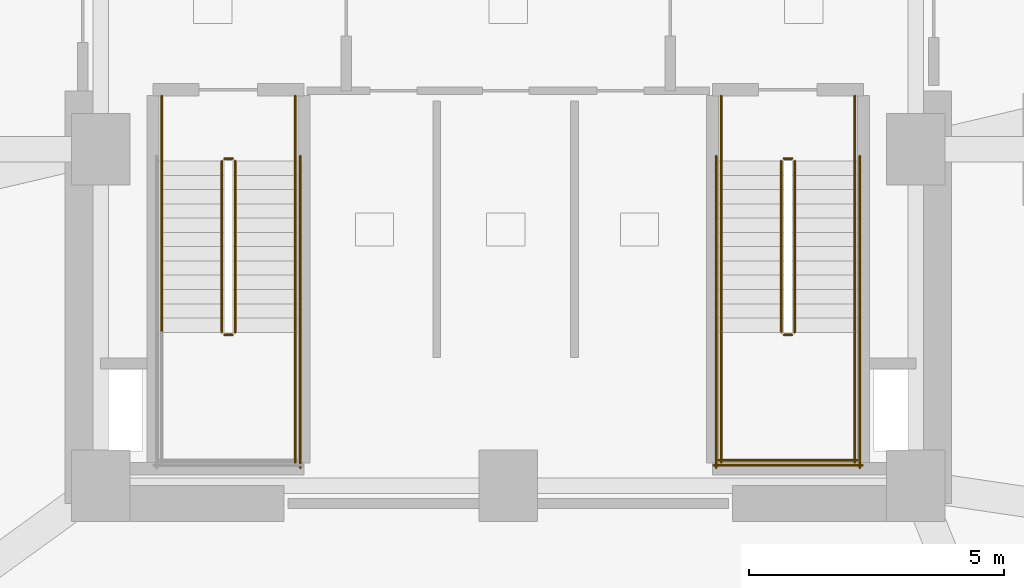
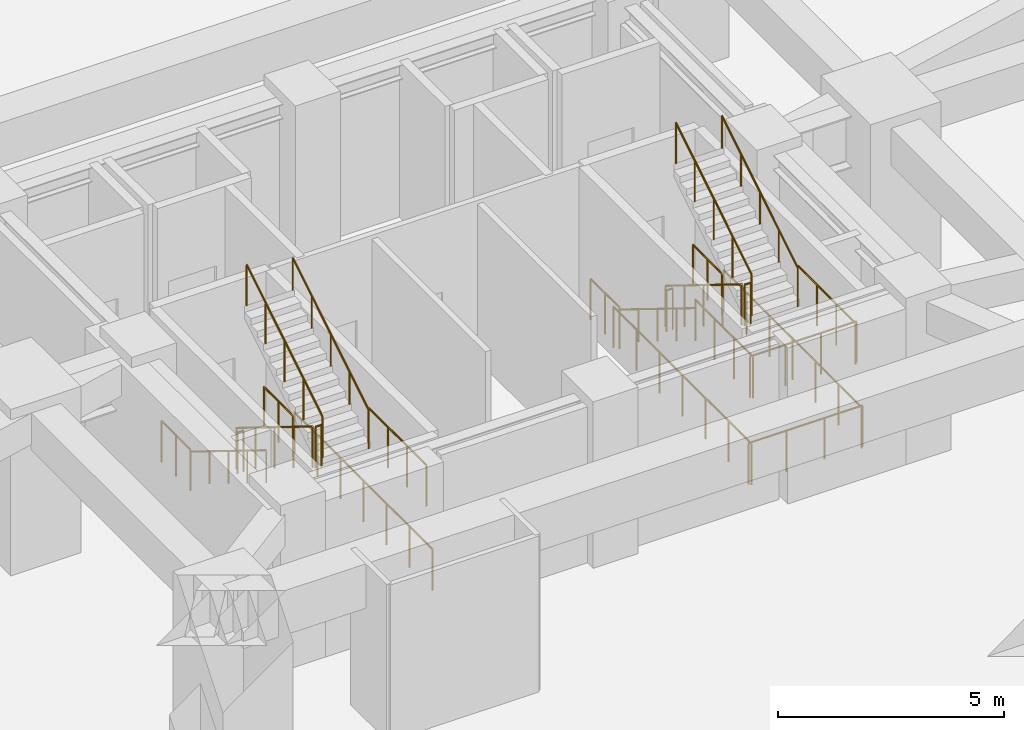
# One storey, part 6 of 9: 24 railings.
"""IFC4 building model written with IfcOpenShell, lengths in metres."""

from ifc_helpers import new_model, si_unit, direction, frame, origin, origin_2d, place, context, subcontext, project, spatial, circle, extrude, material, layer, layer_set, type_object, element, save


model = new_model("IFC4")

# Units and contexts
model_context = context("Model", 3, precision=1e-05, world=origin(), true_north=direction((0.0, 1.0)))
body_context = subcontext(model_context, "Body", "Model", "MODEL_VIEW")
ifc_project = project(units=[si_unit("LENGTHUNIT", "METRE"), si_unit("AREAUNIT", "SQUARE_METRE"), si_unit("VOLUMEUNIT", "CUBIC_METRE"), si_unit("PLANEANGLEUNIT", "RADIAN"), si_unit("MASSUNIT", "GRAM", prefix="KILO")], contexts=[model_context])

# Site, building, storey
site_placement = place(None, origin())
site = spatial("IfcSite", under=ifc_project, at=site_placement, CompositionType="ELEMENT")
building_placement = place(site_placement, origin())
building = spatial("IfcBuilding", under=site, at=building_placement, Name="Ndelora Gate Hotel", CompositionType="ELEMENT")
storey_placement = place(building_placement, frame((0.0, 0.0, -4.5)))
storey = spatial("IfcBuildingStorey", under=building, at=storey_placement, Name="B01", CompositionType="ELEMENT", Elevation=-4.5)

# Railings
ifc_material_1 = material(Name="Painted Galvanized Steel Balustrade", Category="steel")
ifc_layer_1 = layer(ifc_material_1, 0.06005859375)
ifc_layer_set_1 = layer_set([ifc_layer_1], Name="Painted Galvanized Steel Balustrade")
railing_type_1 = type_object("IfcRailingType", Name="RL-STAIR-GD", PredefinedType="GUARDRAIL", material=ifc_layer_set_1)
railing_1_placement = place(storey_placement, frame((-5.6201171875, -0.22998046875, 0.173095703125)))
element("IfcRailing", 1, at=railing_1_placement, inside=storey, type_object=railing_type_1, Name="B01 ST4 stair guard 1", PredefinedType="GUARDRAIL", context=body_context, shape_type="SweptSolid", body=[
    extrude(circle(Radius=0.02392578125, at=origin_2d()), frame((0.0, 0.0, 1.10595703125), z_axis=(0.0, -0.850623216509, 0.525775754039), x_axis=(1.0, 0.0, 0.0)), (0.0, 0.0, 1.0), 3.9501953125),
    extrude(circle(Radius=0.02099609375, at=origin_2d()), origin(), (0.0, 0.0, 1.0), 1.081787109375),
    extrude(circle(Radius=0.02099609375, at=origin_2d()), frame((0.0, -0.840087890625, 0.519287109375)), (0.0, 0.0, 1.0), 1.081787109375),
    extrude(circle(Radius=0.02099609375, at=origin_2d()), frame((0.0, -1.68017578125, 1.03857421875)), (0.0, 0.0, 1.0), 1.081787109375),
    extrude(circle(Radius=0.02099609375, at=origin_2d()), frame((0.0, -2.52001953125, 1.5576171875)), (0.0, 0.0, 1.0), 1.081787109375),
    extrude(circle(Radius=0.02099609375, at=origin_2d()), frame((0.0, -3.360107421875, 2.076904296875)), (0.0, 0.0, 1.0), 1.081787109375),
])
railing_2_placement = place(storey_placement, frame((-5.570068359375, -3.639892578125, 2.25)))
element("IfcRailing", 2, at=railing_2_placement, inside=storey, type_object=railing_type_1, Name="B01 ST4 stair guard 2", PredefinedType="GUARDRAIL", context=body_context, shape_type="SweptSolid", body=[
    extrude(circle(Radius=0.02392578125, at=origin_2d()), frame((0.0, 0.0, 1.10595703125), z_axis=(1.0, 0.0, 0.0), x_axis=(0.0, 1.0, 0.0)), (0.0, 0.0, 1.0), 0.16015625),
    extrude(circle(Radius=0.02099609375, at=origin_2d()), origin(), (0.0, 0.0, 1.0), 1.081787109375),
    extrude(circle(Radius=0.02099609375, at=origin_2d()), frame((0.16015625, 0.0, 0.0)), (0.0, 0.0, 1.0), 1.081787109375),
])
railing_3_placement = place(storey_placement, frame((-4.179931640625, -3.590087890625, 2.25)))
element("IfcRailing", 3, at=railing_3_placement, inside=storey, type_object=railing_type_1, Name="B01 ST4 stair guard 4", PredefinedType="GUARDRAIL", context=body_context, shape_type="SweptSolid", body=[
    extrude(circle(Radius=0.02392578125, at=origin_2d()), frame((0.0, 0.0, 1.10595703125), z_axis=(0.0, -1.0, 0.0), x_axis=(1.0, 0.0, 0.0)), (0.0, 0.0, 1.0), 2.559814453125),
    extrude(circle(Radius=0.02099609375, at=origin_2d()), origin(), (0.0, 0.0, 1.0), 1.081787109375),
    extrude(circle(Radius=0.02099609375, at=origin_2d()), frame((0.0, -0.853271484375, 0.0)), (0.0, 0.0, 1.0), 1.081787109375),
    extrude(circle(Radius=0.02099609375, at=origin_2d()), frame((0.0, -1.70654296875, 0.0)), (0.0, 0.0, 1.0), 1.081787109375),
    extrude(circle(Radius=0.02099609375, at=origin_2d()), frame((0.0, -2.559814453125, 0.0)), (0.0, 0.0, 1.0), 1.081787109375),
])
railing_4_placement = place(storey_placement, frame((-5.360107421875, -3.590087890625, 2.423095703125)))
element("IfcRailing", 4, at=railing_4_placement, inside=storey, type_object=railing_type_1, Name="B01 ST4 stair guard 6", PredefinedType="GUARDRAIL", context=body_context, shape_type="SweptSolid", body=[
    extrude(circle(Radius=0.02392578125, at=origin_2d()), frame((0.0, 0.0, 1.10595703125), z_axis=(0.0, 0.850623216509, 0.525775754039), x_axis=(-1.0, 0.0, 0.0)), (0.0, 0.0, 1.0), 3.9501953125),
    extrude(circle(Radius=0.02099609375, at=origin_2d()), origin(), (0.0, 0.0, 1.0), 1.081787109375),
    extrude(circle(Radius=0.02099609375, at=origin_2d()), frame((0.0, 0.840087890625, 0.519287109375)), (0.0, 0.0, 1.0), 1.081787109375),
    extrude(circle(Radius=0.02099609375, at=origin_2d()), frame((0.0, 1.68017578125, 1.03857421875)), (0.0, 0.0, 1.0), 1.081787109375),
    extrude(circle(Radius=0.02099609375, at=origin_2d()), frame((0.0, 2.52001953125, 1.5576171875)), (0.0, 0.0, 1.0), 1.081787109375),
    extrude(circle(Radius=0.02099609375, at=origin_2d()), frame((0.0, 3.360107421875, 2.076904296875)), (0.0, 0.0, 1.0), 1.081787109375),
])
railing_5_placement = place(storey_placement, frame((-5.570068359375, -0.179931640625, 0.0)))
element("IfcRailing", 5, at=railing_5_placement, inside=storey, type_object=railing_type_1, Name="B01 ST4 stair guard 7", PredefinedType="GUARDRAIL", context=body_context, shape_type="SweptSolid", body=[
    extrude(circle(Radius=0.02392578125, at=origin_2d()), frame((0.0, 0.0, 1.10595703125), z_axis=(1.0, 0.0, 0.0), x_axis=(0.0, 1.0, 0.0)), (0.0, 0.0, 1.0), 0.16015625),
    extrude(circle(Radius=0.02099609375, at=origin_2d()), origin(), (0.0, 0.0, 1.0), 1.081787109375),
    extrude(circle(Radius=0.02099609375, at=origin_2d()), frame((0.16015625, 0.0, 0.0)), (0.0, 0.0, 1.0), 1.081787109375),
])
for number, where, name in (
    (6, (-6.800048828125, 1.050048828125, 0.0), "B01 ST4 stair guard 8"),
    (7, (-4.179931640625, 1.050048828125, 0.0), "B01 ST4 stair guard 9"),
):
    element("IfcRailing", number, at=place(storey_placement, frame(where)), inside=storey, type_object=railing_type_1, Name=name, PredefinedType="GUARDRAIL", context=body_context, shape_type="SweptSolid", body=[
        extrude(circle(Radius=0.02392578125, at=origin_2d()), frame((0.0, 0.0, 1.10595703125), z_axis=(0.0, -1.0, 0.0), x_axis=(1.0, 0.0, 0.0)), (0.0, 0.0, 1.0), 1.280029296875),
        extrude(circle(Radius=0.02099609375, at=origin_2d()), origin(), (0.0, 0.0, 1.0), 1.081787109375),
        extrude(circle(Radius=0.02099609375, at=origin_2d()), frame((0.0, -0.64013671875, 0.0)), (0.0, 0.0, 1.0), 1.081787109375),
        extrude(circle(Radius=0.02099609375, at=origin_2d()), frame((0.0, -1.280029296875, 0.0)), (0.0, 0.0, 1.0), 1.081787109375),
    ])
railing_6_placement = place(storey_placement, frame((-4.080078125, -0.1298828125, 0.0)))
element("IfcRailing", 8, at=railing_6_placement, inside=storey, type_object=railing_type_1, Name="B01 ST4 stair guard 11", PredefinedType="GUARDRAIL", context=body_context, shape_type="SweptSolid", body=[
    extrude(circle(Radius=0.02392578125, at=origin_2d()), frame((0.0, 0.0, 1.10595703125), z_axis=(0.0, -1.0, 0.0), x_axis=(1.0, 0.0, 0.0)), (0.0, 0.0, 1.0), 6.1201171875),
    extrude(circle(Radius=0.02099609375, at=origin_2d()), origin(), (0.0, 0.0, 1.0), 1.081787109375),
    extrude(circle(Radius=0.02099609375, at=origin_2d()), frame((0.0, -1.02001953125, 0.0)), (0.0, 0.0, 1.0), 1.081787109375),
    extrude(circle(Radius=0.02099609375, at=origin_2d()), frame((0.0, -2.0400390625, 0.0)), (0.0, 0.0, 1.0), 1.081787109375),
    extrude(circle(Radius=0.02099609375, at=origin_2d()), frame((0.0, -3.06005859375, 0.0)), (0.0, 0.0, 1.0), 1.081787109375),
    extrude(circle(Radius=0.02099609375, at=origin_2d()), frame((0.0, -4.080078125, 0.0)), (0.0, 0.0, 1.0), 1.081787109375),
    extrude(circle(Radius=0.02099609375, at=origin_2d()), frame((0.0, -5.10009765625, 0.0)), (0.0, 0.0, 1.0), 1.081787109375),
    extrude(circle(Radius=0.02099609375, at=origin_2d()), frame((0.0, -6.1201171875, 0.0)), (0.0, 0.0, 1.0), 1.081787109375),
])
railing_7_placement = place(storey_placement, frame((5.360107421875, -0.22998046875, 0.173095703125)))
element("IfcRailing", 9, at=railing_7_placement, inside=storey, type_object=railing_type_1, Name="B01 ST5 stair guard 1", PredefinedType="GUARDRAIL", context=body_context, shape_type="SweptSolid", body=[
    extrude(circle(Radius=0.02392578125, at=origin_2d()), frame((0.0, 0.0, 1.10595703125), z_axis=(0.0, -0.850623216509, 0.525775754039), x_axis=(1.0, 0.0, 0.0)), (0.0, 0.0, 1.0), 3.9501953125),
    extrude(circle(Radius=0.02099609375, at=origin_2d()), origin(), (0.0, 0.0, 1.0), 1.081787109375),
    extrude(circle(Radius=0.02099609375, at=origin_2d()), frame((0.0, -0.840087890625, 0.519287109375)), (0.0, 0.0, 1.0), 1.081787109375),
    extrude(circle(Radius=0.02099609375, at=origin_2d()), frame((0.0, -1.68017578125, 1.03857421875)), (0.0, 0.0, 1.0), 1.081787109375),
    extrude(circle(Radius=0.02099609375, at=origin_2d()), frame((0.0, -2.52001953125, 1.5576171875)), (0.0, 0.0, 1.0), 1.081787109375),
    extrude(circle(Radius=0.02099609375, at=origin_2d()), frame((0.0, -3.360107421875, 2.076904296875)), (0.0, 0.0, 1.0), 1.081787109375),
])
railing_8_placement = place(storey_placement, frame((5.409912109375, -3.639892578125, 2.25)))
element("IfcRailing", 10, at=railing_8_placement, inside=storey, type_object=railing_type_1, Name="B01 ST5 stair guard 2", PredefinedType="GUARDRAIL", context=body_context, shape_type="SweptSolid", body=[
    extrude(circle(Radius=0.02392578125, at=origin_2d()), frame((0.0, 0.0, 1.10595703125), z_axis=(1.0, 0.0, 0.0), x_axis=(0.0, 1.0, 0.0)), (0.0, 0.0, 1.0), 0.16015625),
    extrude(circle(Radius=0.02099609375, at=origin_2d()), origin(), (0.0, 0.0, 1.0), 1.081787109375),
    extrude(circle(Radius=0.02099609375, at=origin_2d()), frame((0.16015625, 0.0, 0.0)), (0.0, 0.0, 1.0), 1.081787109375),
])
for number, where, name in (
    (11, (4.179931640625, -3.590087890625, 2.25), "B01 ST5 stair guard 3"),
    (12, (6.800048828125, -3.590087890625, 2.25), "B01 ST5 stair guard 4"),
):
    element("IfcRailing", number, at=place(storey_placement, frame(where)), inside=storey, type_object=railing_type_1, Name=name, PredefinedType="GUARDRAIL", context=body_context, shape_type="SweptSolid", body=[
        extrude(circle(Radius=0.02392578125, at=origin_2d()), frame((0.0, 0.0, 1.10595703125), z_axis=(0.0, -1.0, 0.0), x_axis=(1.0, 0.0, 0.0)), (0.0, 0.0, 1.0), 2.559814453125),
        extrude(circle(Radius=0.02099609375, at=origin_2d()), origin(), (0.0, 0.0, 1.0), 1.081787109375),
        extrude(circle(Radius=0.02099609375, at=origin_2d()), frame((0.0, -0.853271484375, 0.0)), (0.0, 0.0, 1.0), 1.081787109375),
        extrude(circle(Radius=0.02099609375, at=origin_2d()), frame((0.0, -1.70654296875, 0.0)), (0.0, 0.0, 1.0), 1.081787109375),
        extrude(circle(Radius=0.02099609375, at=origin_2d()), frame((0.0, -2.559814453125, 0.0)), (0.0, 0.0, 1.0), 1.081787109375),
    ])
railing_9_placement = place(storey_placement, frame((4.1298828125, -6.10009765625, 2.25)))
element("IfcRailing", 13, at=railing_9_placement, inside=storey, type_object=railing_type_1, Name="B01 ST5 stair guard 5", PredefinedType="GUARDRAIL", context=body_context, shape_type="SweptSolid", body=[
    extrude(circle(Radius=0.02392578125, at=origin_2d()), frame((0.0, 0.0, 1.10595703125), z_axis=(1.0, 0.0, 0.0), x_axis=(0.0, 1.0, 0.0)), (0.0, 0.0, 1.0), 2.72021484375),
    extrude(circle(Radius=0.02099609375, at=origin_2d()), origin(), (0.0, 0.0, 1.0), 1.081787109375),
    extrude(circle(Radius=0.02099609375, at=origin_2d()), frame((0.90673828125, 0.0, 0.0)), (0.0, 0.0, 1.0), 1.081787109375),
    extrude(circle(Radius=0.02099609375, at=origin_2d()), frame((1.8134765625, 0.0, 0.0)), (0.0, 0.0, 1.0), 1.081787109375),
    extrude(circle(Radius=0.02099609375, at=origin_2d()), frame((2.72021484375, 0.0, 0.0)), (0.0, 0.0, 1.0), 1.081787109375),
])
railing_10_placement = place(storey_placement, frame((5.6201171875, -3.590087890625, 2.423095703125)))
element("IfcRailing", 14, at=railing_10_placement, inside=storey, type_object=railing_type_1, Name="B01 ST5 stair guard 6", PredefinedType="GUARDRAIL", context=body_context, shape_type="SweptSolid", body=[
    extrude(circle(Radius=0.02392578125, at=origin_2d()), frame((0.0, 0.0, 1.10595703125), z_axis=(0.0, 0.850623216509, 0.525775754039), x_axis=(-1.0, 0.0, 0.0)), (0.0, 0.0, 1.0), 3.9501953125),
    extrude(circle(Radius=0.02099609375, at=origin_2d()), origin(), (0.0, 0.0, 1.0), 1.081787109375),
    extrude(circle(Radius=0.02099609375, at=origin_2d()), frame((0.0, 0.840087890625, 0.519287109375)), (0.0, 0.0, 1.0), 1.081787109375),
    extrude(circle(Radius=0.02099609375, at=origin_2d()), frame((0.0, 1.68017578125, 1.03857421875)), (0.0, 0.0, 1.0), 1.081787109375),
    extrude(circle(Radius=0.02099609375, at=origin_2d()), frame((0.0, 2.52001953125, 1.5576171875)), (0.0, 0.0, 1.0), 1.081787109375),
    extrude(circle(Radius=0.02099609375, at=origin_2d()), frame((0.0, 3.360107421875, 2.076904296875)), (0.0, 0.0, 1.0), 1.081787109375),
])
railing_11_placement = place(storey_placement, frame((5.409912109375, -0.179931640625, 0.0)))
element("IfcRailing", 15, at=railing_11_placement, inside=storey, type_object=railing_type_1, Name="B01 ST5 stair guard 7", PredefinedType="GUARDRAIL", context=body_context, shape_type="SweptSolid", body=[
    extrude(circle(Radius=0.02392578125, at=origin_2d()), frame((0.0, 0.0, 1.10595703125), z_axis=(1.0, 0.0, 0.0), x_axis=(0.0, 1.0, 0.0)), (0.0, 0.0, 1.0), 0.16015625),
    extrude(circle(Radius=0.02099609375, at=origin_2d()), origin(), (0.0, 0.0, 1.0), 1.081787109375),
    extrude(circle(Radius=0.02099609375, at=origin_2d()), frame((0.16015625, 0.0, 0.0)), (0.0, 0.0, 1.0), 1.081787109375),
])
for number, where, name in (
    (16, (4.179931640625, 1.050048828125, 0.0), "B01 ST5 stair guard 8"),
    (17, (6.800048828125, 1.050048828125, 0.0), "B01 ST5 stair guard 9"),
):
    element("IfcRailing", number, at=place(storey_placement, frame(where)), inside=storey, type_object=railing_type_1, Name=name, PredefinedType="GUARDRAIL", context=body_context, shape_type="SweptSolid", body=[
        extrude(circle(Radius=0.02392578125, at=origin_2d()), frame((0.0, 0.0, 1.10595703125), z_axis=(0.0, -1.0, 0.0), x_axis=(1.0, 0.0, 0.0)), (0.0, 0.0, 1.0), 1.280029296875),
        extrude(circle(Radius=0.02099609375, at=origin_2d()), origin(), (0.0, 0.0, 1.0), 1.081787109375),
        extrude(circle(Radius=0.02099609375, at=origin_2d()), frame((0.0, -0.64013671875, 0.0)), (0.0, 0.0, 1.0), 1.081787109375),
        extrude(circle(Radius=0.02099609375, at=origin_2d()), frame((0.0, -1.280029296875, 0.0)), (0.0, 0.0, 1.0), 1.081787109375),
    ])
for number, where, name in (
    (18, (4.080078125, -0.1298828125, 0.0), "B01 ST5 stair guard 10"),
    (19, (6.89990234375, -0.1298828125, 0.0), "B01 ST5 stair guard 11"),
):
    element("IfcRailing", number, at=place(storey_placement, frame(where)), inside=storey, type_object=railing_type_1, Name=name, PredefinedType="GUARDRAIL", context=body_context, shape_type="SweptSolid", body=[
        extrude(circle(Radius=0.02392578125, at=origin_2d()), frame((0.0, 0.0, 1.10595703125), z_axis=(0.0, -1.0, 0.0), x_axis=(1.0, 0.0, 0.0)), (0.0, 0.0, 1.0), 6.1201171875),
        extrude(circle(Radius=0.02099609375, at=origin_2d()), origin(), (0.0, 0.0, 1.0), 1.081787109375),
        extrude(circle(Radius=0.02099609375, at=origin_2d()), frame((0.0, -1.02001953125, 0.0)), (0.0, 0.0, 1.0), 1.081787109375),
        extrude(circle(Radius=0.02099609375, at=origin_2d()), frame((0.0, -2.0400390625, 0.0)), (0.0, 0.0, 1.0), 1.081787109375),
        extrude(circle(Radius=0.02099609375, at=origin_2d()), frame((0.0, -3.06005859375, 0.0)), (0.0, 0.0, 1.0), 1.081787109375),
        extrude(circle(Radius=0.02099609375, at=origin_2d()), frame((0.0, -4.080078125, 0.0)), (0.0, 0.0, 1.0), 1.081787109375),
        extrude(circle(Radius=0.02099609375, at=origin_2d()), frame((0.0, -5.10009765625, 0.0)), (0.0, 0.0, 1.0), 1.081787109375),
        extrude(circle(Radius=0.02099609375, at=origin_2d()), frame((0.0, -6.1201171875, 0.0)), (0.0, 0.0, 1.0), 1.081787109375),
    ])
railing_12_placement = place(storey_placement, frame((4.030029296875, -6.199951171875, 0.0)))
element("IfcRailing", 20, at=railing_12_placement, inside=storey, type_object=railing_type_1, Name="B01 ST5 stair guard 12", PredefinedType="GUARDRAIL", context=body_context, shape_type="SweptSolid", body=[
    extrude(circle(Radius=0.02392578125, at=origin_2d()), frame((0.0, 0.0, 1.10595703125), z_axis=(1.0, 0.0, 0.0), x_axis=(0.0, 1.0, 0.0)), (0.0, 0.0, 1.0), 2.919921875),
    extrude(circle(Radius=0.02099609375, at=origin_2d()), origin(), (0.0, 0.0, 1.0), 1.081787109375),
    extrude(circle(Radius=0.02099609375, at=origin_2d()), frame((0.973388671875, 0.0, 0.0)), (0.0, 0.0, 1.0), 1.081787109375),
    extrude(circle(Radius=0.02099609375, at=origin_2d()), frame((1.946533203125, 0.0, 0.0)), (0.0, 0.0, 1.0), 1.081787109375),
    extrude(circle(Radius=0.02099609375, at=origin_2d()), frame((2.919921875, 0.0, 0.0)), (0.0, 0.0, 1.0), 1.081787109375),
])
ifc_material_2 = material(Name="Brushed Stainless Steel 316", Category="steel")
ifc_layer_2 = layer(ifc_material_2, 0.050048828125)
ifc_layer_set_2 = layer_set([ifc_layer_2], Name="Brushed Stainless Steel 316")
railing_type_2 = type_object("IfcRailingType", Name="RL-STAIR-HR", PredefinedType="HANDRAIL", material=ifc_layer_set_2)
railing_13_placement = place(storey_placement, frame((-6.800048828125, -0.22998046875, 0.173095703125)))
element("IfcRailing", 21, at=railing_13_placement, inside=storey, type_object=railing_type_2, Name="B01 ST4 stair handrail 1", PredefinedType="HANDRAIL", context=body_context, shape_type="SweptSolid", body=[
    extrude(circle(Radius=0.02392578125, at=origin_2d()), frame((0.0, 0.0, 0.8759765625), z_axis=(0.0, -0.850623216509, 0.525775754039), x_axis=(1.0, 0.0, 0.0)), (0.0, 0.0, 1.0), 3.9501953125),
    extrude(circle(Radius=0.02099609375, at=origin_2d()), origin(), (0.0, 0.0, 1.0), 0.851806640625),
    extrude(circle(Radius=0.02099609375, at=origin_2d()), frame((0.0, -0.840087890625, 0.519287109375)), (0.0, 0.0, 1.0), 0.851806640625),
    extrude(circle(Radius=0.02099609375, at=origin_2d()), frame((0.0, -1.68017578125, 1.03857421875)), (0.0, 0.0, 1.0), 0.851806640625),
    extrude(circle(Radius=0.02099609375, at=origin_2d()), frame((0.0, -2.52001953125, 1.5576171875)), (0.0, 0.0, 1.0), 0.851806640625),
    extrude(circle(Radius=0.02099609375, at=origin_2d()), frame((0.0, -3.360107421875, 2.076904296875)), (0.0, 0.0, 1.0), 0.851806640625),
])
railing_14_placement = place(storey_placement, frame((-4.179931640625, -3.590087890625, 2.423095703125)))
element("IfcRailing", 22, at=railing_14_placement, inside=storey, type_object=railing_type_2, Name="B01 ST4 stair handrail 2", PredefinedType="HANDRAIL", context=body_context, shape_type="SweptSolid", body=[
    extrude(circle(Radius=0.02392578125, at=origin_2d()), frame((0.0, 0.0, 0.8759765625), z_axis=(0.0, 0.850623216509, 0.525775754039), x_axis=(-1.0, 0.0, 0.0)), (0.0, 0.0, 1.0), 3.9501953125),
    extrude(circle(Radius=0.02099609375, at=origin_2d()), origin(), (0.0, 0.0, 1.0), 0.851806640625),
    extrude(circle(Radius=0.02099609375, at=origin_2d()), frame((0.0, 0.840087890625, 0.519287109375)), (0.0, 0.0, 1.0), 0.851806640625),
    extrude(circle(Radius=0.02099609375, at=origin_2d()), frame((0.0, 1.68017578125, 1.03857421875)), (0.0, 0.0, 1.0), 0.851806640625),
    extrude(circle(Radius=0.02099609375, at=origin_2d()), frame((0.0, 2.52001953125, 1.5576171875)), (0.0, 0.0, 1.0), 0.851806640625),
    extrude(circle(Radius=0.02099609375, at=origin_2d()), frame((0.0, 3.360107421875, 2.076904296875)), (0.0, 0.0, 1.0), 0.851806640625),
])
railing_15_placement = place(storey_placement, frame((4.179931640625, -0.22998046875, 0.173095703125)))
element("IfcRailing", 23, at=railing_15_placement, inside=storey, type_object=railing_type_2, Name="B01 ST5 stair handrail 1", PredefinedType="HANDRAIL", context=body_context, shape_type="SweptSolid", body=[
    extrude(circle(Radius=0.02392578125, at=origin_2d()), frame((0.0, 0.0, 0.8759765625), z_axis=(0.0, -0.850623216509, 0.525775754039), x_axis=(1.0, 0.0, 0.0)), (0.0, 0.0, 1.0), 3.9501953125),
    extrude(circle(Radius=0.02099609375, at=origin_2d()), origin(), (0.0, 0.0, 1.0), 0.851806640625),
    extrude(circle(Radius=0.02099609375, at=origin_2d()), frame((0.0, -0.840087890625, 0.519287109375)), (0.0, 0.0, 1.0), 0.851806640625),
    extrude(circle(Radius=0.02099609375, at=origin_2d()), frame((0.0, -1.68017578125, 1.03857421875)), (0.0, 0.0, 1.0), 0.851806640625),
    extrude(circle(Radius=0.02099609375, at=origin_2d()), frame((0.0, -2.52001953125, 1.5576171875)), (0.0, 0.0, 1.0), 0.851806640625),
    extrude(circle(Radius=0.02099609375, at=origin_2d()), frame((0.0, -3.360107421875, 2.076904296875)), (0.0, 0.0, 1.0), 0.851806640625),
])
railing_16_placement = place(storey_placement, frame((6.800048828125, -3.590087890625, 2.423095703125)))
element("IfcRailing", 24, at=railing_16_placement, inside=storey, type_object=railing_type_2, Name="B01 ST5 stair handrail 2", PredefinedType="HANDRAIL", context=body_context, shape_type="SweptSolid", body=[
    extrude(circle(Radius=0.02392578125, at=origin_2d()), frame((0.0, 0.0, 0.8759765625), z_axis=(0.0, 0.850623216509, 0.525775754039), x_axis=(-1.0, 0.0, 0.0)), (0.0, 0.0, 1.0), 3.9501953125),
    extrude(circle(Radius=0.02099609375, at=origin_2d()), origin(), (0.0, 0.0, 1.0), 0.851806640625),
    extrude(circle(Radius=0.02099609375, at=origin_2d()), frame((0.0, 0.840087890625, 0.519287109375)), (0.0, 0.0, 1.0), 0.851806640625),
    extrude(circle(Radius=0.02099609375, at=origin_2d()), frame((0.0, 1.68017578125, 1.03857421875)), (0.0, 0.0, 1.0), 0.851806640625),
    extrude(circle(Radius=0.02099609375, at=origin_2d()), frame((0.0, 2.52001953125, 1.5576171875)), (0.0, 0.0, 1.0), 0.851806640625),
    extrude(circle(Radius=0.02099609375, at=origin_2d()), frame((0.0, 3.360107421875, 2.076904296875)), (0.0, 0.0, 1.0), 0.851806640625),
])

save(model, "model.ifc")
